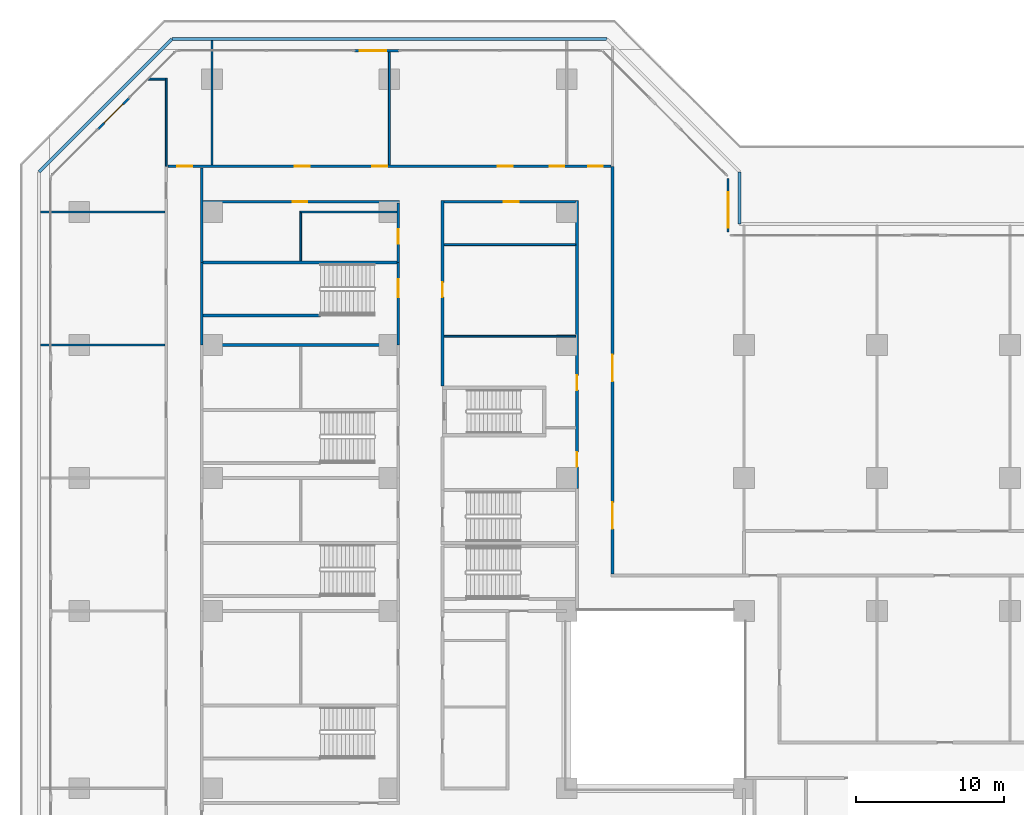
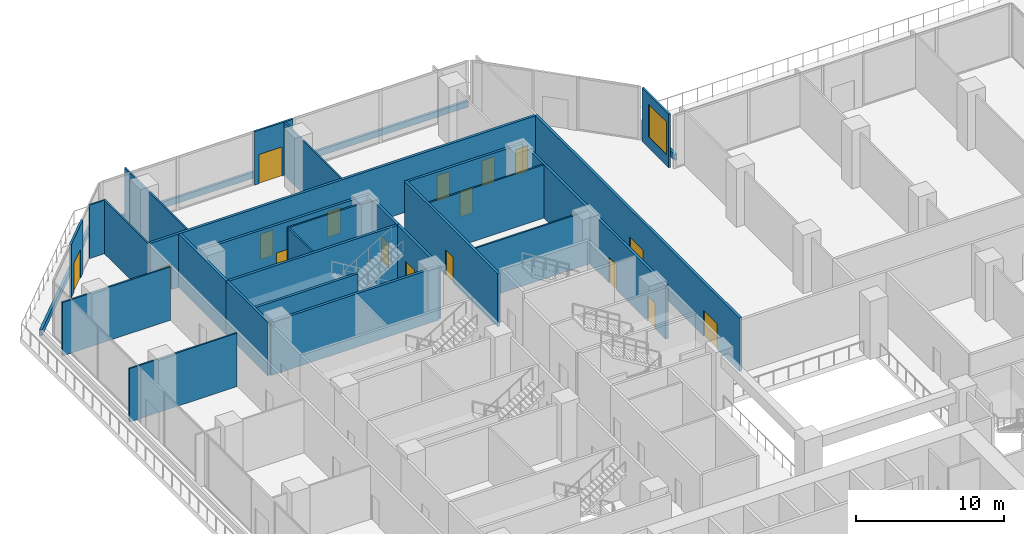
# One storey, part 21 of 31: 29 walls, 17 doors, 1 window, 18 openings.
"""IFC4 building model written with IfcOpenShell, lengths in metres."""

from ifc_helpers import new_model, si_unit, direction, frame, frame_2d, origin, place, context, subcontext, project, spatial, rectangle, extrude, material, layer, layer_set, type_object, element, fill, save


model = new_model("IFC4")

# Units and contexts
model_context = context("Model", 3, precision=1e-05, world=origin(), true_north=direction((0.0, 1.0)))
body_context = subcontext(model_context, "Body", "Model", "MODEL_VIEW")
ifc_project = project(units=[si_unit("LENGTHUNIT", "METRE"), si_unit("AREAUNIT", "SQUARE_METRE"), si_unit("VOLUMEUNIT", "CUBIC_METRE"), si_unit("PLANEANGLEUNIT", "RADIAN"), si_unit("MASSUNIT", "GRAM", prefix="KILO")], contexts=[model_context])

# Site, building, storey
site_placement = place(None, origin())
site = spatial("IfcSite", under=ifc_project, at=site_placement, CompositionType="ELEMENT")
building_placement = place(site_placement, origin())
building = spatial("IfcBuilding", under=site, at=building_placement, Name="Chenar Terraces", CompositionType="ELEMENT")
storey_placement = place(building_placement, frame((0.0, 0.0, 12.0)))
storey = spatial("IfcBuildingStorey", under=building, at=storey_placement, Name="L02", CompositionType="ELEMENT", Elevation=12.0)

# Walls
ifc_material_1 = material(Name="Gypsum board on steel studs with mineral wool", Category="steel")
ifc_layer_1 = layer(ifc_material_1, 0.125)
ifc_layer_set_1 = layer_set([ifc_layer_1], Name="Gypsum board on steel studs with mineral wool")
wall_type_1 = type_object("IfcWallType", Name="Acoustic partition 125", PredefinedType="PARTITIONING", material=ifc_layer_set_1)
for number, where, z_axis, x_axis, name in (
    (1, (-11.60009765625, 54.0, 0.0), (0.0, 0.0, 1.0), (1.0, 0.0, 0.0), "Partition L02-004"),
    (2, (-11.60009765625, 63.0, 0.0), (0.0, 0.0, 1.0), (1.0, 0.0, 0.0), "Partition L02-005"),
):
    element("IfcWall", number, at=place(storey_placement, frame(where, z_axis=z_axis, x_axis=x_axis)), inside=storey, type_object=wall_type_1, Name=name, PredefinedType="PARTITIONING", context=body_context, shape_type="SweptSolid", body=[
        extrude(rectangle(XDim=8.400146484375, YDim=0.125, at=frame_2d((4.2001953125, 0.0))), origin(), (0.0, 0.0, 1.0), 4.39990234375),
    ])
wall_1_placement = place(storey_placement, frame((-4.3291015625, 72.0, 0.0), z_axis=(0.0, 0.0, 1.0), x_axis=(1.0, 0.0, 0.0)))
element("IfcWall", 3, at=wall_1_placement, inside=storey, type_object=wall_type_1, Name="Partition L02-007", PredefinedType="PARTITIONING", context=body_context, shape_type="SweptSolid", body=[
    extrude(rectangle(XDim=1.1669921875, YDim=0.125, at=frame_2d((0.58349609375, 0.0))), origin(), (0.0, 0.0, 1.0), 4.39990234375),
])
wall_2_placement = place(storey_placement, frame((-3.10009765625, 66.10009765625, 0.0), z_axis=(0.0, 0.0, 1.0), x_axis=(0.0, 1.0, 0.0)))
element("IfcWall", 4, at=wall_2_placement, inside=storey, type_object=wall_type_1, Name="Partition L02-009", PredefinedType="PARTITIONING", context=body_context, shape_type="SweptSolid", body=[
    extrude(rectangle(XDim=5.9619140625, YDim=0.125, at=frame_2d((2.98095703125, 0.0))), origin(), (0.0, 0.0, 1.0), 4.39990234375),
])
wall_3_placement = place(storey_placement, frame((0.0, 66.199951171875, 0.0), z_axis=(0.0, 0.0, 1.0), x_axis=(0.0, 1.0, 0.0)))
element("IfcWall", 5, at=wall_3_placement, inside=storey, type_object=wall_type_1, Name="Partition L02-031", PredefinedType="PARTITIONING", context=body_context, shape_type="SweptSolid", body=[
    extrude(rectangle(XDim=8.400146484375, YDim=0.125, at=frame_2d((4.2001953125, 0.0))), origin(), (0.0, 0.0, 1.0), 4.39990234375),
])
wall_4_placement = place(storey_placement, frame((5.93798828125, 63.0, 0.0), z_axis=(0.0, 0.0, 1.0), x_axis=(1.0, 0.0, 0.0)))
element("IfcWall", 6, at=wall_4_placement, inside=storey, type_object=wall_type_1, Name="Partition L02-035", PredefinedType="PARTITIONING", context=body_context, shape_type="SweptSolid", body=[
    extrude(rectangle(XDim=6.56201171875, YDim=0.125, at=frame_2d((3.281005859375, 0.0))), origin(), (0.0, 0.0, 1.0), 4.39990234375),
])
wall_5_placement = place(storey_placement, frame((6.0, 59.699951171875, 0.0), z_axis=(0.0, 0.0, 1.0), x_axis=(0.0, 1.0, 0.0)))
element("IfcWall", 7, at=wall_5_placement, inside=storey, type_object=wall_type_1, Name="Partition L02-039", PredefinedType="PARTITIONING", context=body_context, shape_type="SweptSolid", body=[
    extrude(rectangle(XDim=3.238037109375, YDim=0.125, at=frame_2d((1.619140625, 0.0))), origin(), (0.0, 0.0, 1.0), 4.39990234375),
])
wall_6_placement = place(storey_placement, frame((12.0, 66.199951171875, 0.0), z_axis=(0.0, 0.0, 1.0), x_axis=(0.0, 1.0, 0.0)))
element("IfcWall", 8, at=wall_6_placement, inside=storey, type_object=wall_type_1, Name="Partition L02-042", PredefinedType="PARTITIONING", context=body_context, shape_type="SweptSolid", body=[
    extrude(rectangle(XDim=7.651123046875, YDim=0.125, at=frame_2d((3.82568359375, 0.0))), origin(), (0.0, 0.0, 1.0), 4.39990234375),
])
for number, where, z_axis, x_axis, name in (
    (9, (15.699951171875, 54.60009765625, 0.0), (0.0, 0.0, 1.0), (1.0, 0.0, 0.0), "Partition L02-062"),
    (10, (15.699951171875, 60.800048828125, 0.0), (0.0, 0.0, 1.0), (1.0, 0.0, 0.0), "Partition L02-063"),
):
    element("IfcWall", number, at=place(storey_placement, frame(where, z_axis=z_axis, x_axis=x_axis)), inside=storey, type_object=wall_type_1, Name=name, PredefinedType="PARTITIONING", context=body_context, shape_type="SweptSolid", body=[
        extrude(rectangle(XDim=8.900146484375, YDim=0.125, at=frame_2d((4.4501953125, 0.0))), origin(), (0.0, 0.0, 1.0), 4.39990234375),
    ])

# Wall, openings, doors
ifc_material_2 = material(Name="Gypsum board on steel studs with fire boards", Category="steel")
ifc_layer_2 = layer(ifc_material_2, 0.199951171875)
ifc_layer_set_2 = layer_set([ifc_layer_2], Name="Gypsum board on steel studs with fire boards")
wall_type_2 = type_object("IfcWallType", Name="Corridor wall 200", PredefinedType="PARTITIONING", material=ifc_layer_set_2)
wall_7_placement = place(storey_placement, frame((-3.0, 66.10009765625, 0.0), z_axis=(0.0, 0.0, 1.0), x_axis=(1.0, 0.0, 0.0)))
wall_7 = element("IfcWall", 11, at=wall_7_placement, inside=storey, type_object=wall_type_2, Name="Partition L02-010", PredefinedType="PARTITIONING", context=body_context, shape_type="SweptSolid", body=[
    extrude(rectangle(XDim=30.0, YDim=0.199951171875, at=frame_2d((15.0, 0.0))), origin(), (0.0, 0.0, 1.0), 4.39990234375),
])
opening_1_placement = place(wall_7_placement, frame((0.64990234375, 0.0, 0.0)))
opening_1 = element("IfcOpeningElement", 12, at=opening_1_placement, cuts=wall_7, Name="Opening DL02-54", PredefinedType="OPENING", context=body_context, shape_type="SweptSolid", body=[
    extrude(rectangle(XDim=1.0, YDim=2.10009765625, at=frame_2d((0.5, 1.050048828125))), frame((0.0, 0.10986328125, 0.0), z_axis=(0.0, -1.0, 0.0), x_axis=(1.0, 0.0, 0.0)), (0.0, 0.0, 1.0), 0.219970703125),
])
opening_2_placement = place(wall_7_placement, frame((8.60009765625, 0.0, 0.0)))
opening_2 = element("IfcOpeningElement", 13, at=opening_2_placement, cuts=wall_7, Name="Opening DL02-55", PredefinedType="OPENING", context=body_context, shape_type="SweptSolid", body=[
    extrude(rectangle(XDim=1.0, YDim=2.10009765625, at=frame_2d((0.5, 1.050048828125))), frame((0.0, 0.10986328125, 0.0), z_axis=(0.0, -1.0, 0.0), x_axis=(1.0, 0.0, 0.0)), (0.0, 0.0, 1.0), 0.219970703125),
])
opening_3_placement = place(wall_7_placement, frame((13.85009765625, 0.0, 0.0)))
opening_3 = element("IfcOpeningElement", 14, at=opening_3_placement, cuts=wall_7, Name="Opening DL02-56", PredefinedType="OPENING", context=body_context, shape_type="SweptSolid", body=[
    extrude(rectangle(XDim=1.0, YDim=2.10009765625, at=frame_2d((0.5, 1.050048828125))), frame((0.0, 0.10986328125, 0.0), z_axis=(0.0, -1.0, 0.0), x_axis=(1.0, 0.0, 0.0)), (0.0, 0.0, 1.0), 0.219970703125),
])
opening_4_placement = place(wall_7_placement, frame((22.35009765625, 0.0, 0.0)))
opening_4 = element("IfcOpeningElement", 15, at=opening_4_placement, cuts=wall_7, Name="Opening DL02-57", PredefinedType="OPENING", context=body_context, shape_type="SweptSolid", body=[
    extrude(rectangle(XDim=1.0, YDim=2.10009765625, at=frame_2d((0.5, 1.050048828125))), frame((0.0, 0.10986328125, 0.0), z_axis=(0.0, -1.0, 0.0), x_axis=(1.0, 0.0, 0.0)), (0.0, 0.0, 1.0), 0.219970703125),
])
opening_5_placement = place(wall_7_placement, frame((25.85009765625, 0.0, 0.0)))
opening_5 = element("IfcOpeningElement", 16, at=opening_5_placement, cuts=wall_7, Name="Opening DL02-58", PredefinedType="OPENING", context=body_context, shape_type="SweptSolid", body=[
    extrude(rectangle(XDim=1.0, YDim=2.10009765625, at=frame_2d((0.5, 1.050048828125))), frame((0.0, 0.10986328125, 0.0), z_axis=(0.0, -1.0, 0.0), x_axis=(1.0, 0.0, 0.0)), (0.0, 0.0, 1.0), 0.219970703125),
])
opening_6_placement = place(wall_7_placement, frame((28.449951171875, 0.0, 0.0)))
opening_6 = element("IfcOpeningElement", 17, at=opening_6_placement, cuts=wall_7, Name="Opening DL02-59", PredefinedType="OPENING", context=body_context, shape_type="SweptSolid", body=[
    extrude(rectangle(XDim=1.0, YDim=2.10009765625, at=frame_2d((0.5, 1.050048828125))), frame((0.0, 0.10986328125, 0.0), z_axis=(0.0, -1.0, 0.0), x_axis=(1.0, 0.0, 0.0)), (0.0, 0.0, 1.0), 0.219970703125),
])
ifc_material_3 = material(Name="Steel-framed fire-resisting door leaf", Category="steel")
door_type_1 = type_object("IfcDoorType", Name="Fire door FD60 1000 x 2100", OperationType="SINGLE_SWING_LEFT", PredefinedType="DOOR", material=ifc_material_3)
door_1_placement = place(opening_1_placement, origin())
door_1 = element("IfcDoor", 18, at=door_1_placement, inside=storey, type_object=door_type_1, Name="Door DL02-54", OperationType="SINGLE_SWING_LEFT", OverallHeight=2.10009765625, OverallWidth=1.0, PredefinedType="DOOR", context=body_context, shape_type="SweptSolid", body=[
    extrude(rectangle(XDim=1.0, YDim=2.10009765625, at=frame_2d((0.5, 1.050048828125))), frame((0.0, 0.02490234375, 0.0), z_axis=(0.0, -1.0, 0.0), x_axis=(1.0, 0.0, 0.0)), (0.0, 0.0, 1.0), 0.050048828125),
])
fill(opening_1, door_1)
door_2_placement = place(opening_2_placement, origin())
door_2 = element("IfcDoor", 19, at=door_2_placement, inside=storey, type_object=door_type_1, Name="Door DL02-55", OperationType="SINGLE_SWING_RIGHT", OverallHeight=2.10009765625, OverallWidth=1.0, PredefinedType="DOOR", context=body_context, shape_type="SweptSolid", body=[
    extrude(rectangle(XDim=1.0, YDim=2.10009765625, at=frame_2d((0.5, 1.050048828125))), frame((0.0, 0.02490234375, 0.0), z_axis=(0.0, -1.0, 0.0), x_axis=(1.0, 0.0, 0.0)), (0.0, 0.0, 1.0), 0.050048828125),
])
fill(opening_2, door_2)
door_3_placement = place(opening_3_placement, origin())
door_3 = element("IfcDoor", 20, at=door_3_placement, inside=storey, type_object=door_type_1, Name="Door DL02-56", OperationType="SINGLE_SWING_RIGHT", OverallHeight=2.10009765625, OverallWidth=1.0, PredefinedType="DOOR", context=body_context, shape_type="SweptSolid", body=[
    extrude(rectangle(XDim=1.0, YDim=2.10009765625, at=frame_2d((0.5, 1.050048828125))), frame((0.0, 0.02490234375, 0.0), z_axis=(0.0, -1.0, 0.0), x_axis=(1.0, 0.0, 0.0)), (0.0, 0.0, 1.0), 0.050048828125),
])
fill(opening_3, door_3)
door_4_placement = place(opening_4_placement, origin())
door_4 = element("IfcDoor", 21, at=door_4_placement, inside=storey, type_object=door_type_1, Name="Door DL02-57", OperationType="SINGLE_SWING_RIGHT", OverallHeight=2.10009765625, OverallWidth=1.0, PredefinedType="DOOR", context=body_context, shape_type="SweptSolid", body=[
    extrude(rectangle(XDim=1.0, YDim=2.10009765625, at=frame_2d((0.5, 1.050048828125))), frame((0.0, 0.02490234375, 0.0), z_axis=(0.0, -1.0, 0.0), x_axis=(1.0, 0.0, 0.0)), (0.0, 0.0, 1.0), 0.050048828125),
])
fill(opening_4, door_4)
door_5_placement = place(opening_5_placement, origin())
door_5 = element("IfcDoor", 22, at=door_5_placement, inside=storey, type_object=door_type_1, Name="Door DL02-58", OperationType="SINGLE_SWING_RIGHT", OverallHeight=2.10009765625, OverallWidth=1.0, PredefinedType="DOOR", context=body_context, shape_type="SweptSolid", body=[
    extrude(rectangle(XDim=1.0, YDim=2.10009765625, at=frame_2d((0.5, 1.050048828125))), frame((0.0, 0.02490234375, 0.0), z_axis=(0.0, -1.0, 0.0), x_axis=(1.0, 0.0, 0.0)), (0.0, 0.0, 1.0), 0.050048828125),
])
fill(opening_5, door_5)
door_6_placement = place(opening_6_placement, origin())
door_6 = element("IfcDoor", 23, at=door_6_placement, inside=storey, type_object=door_type_1, Name="Door DL02-59", OperationType="SINGLE_SWING_RIGHT", OverallHeight=2.10009765625, OverallWidth=1.0, PredefinedType="DOOR", context=body_context, shape_type="SweptSolid", body=[
    extrude(rectangle(XDim=1.0, YDim=2.10009765625, at=frame_2d((0.5, 1.050048828125))), frame((0.0, 0.02490234375, 0.0), z_axis=(0.0, -1.0, 0.0), x_axis=(1.0, 0.0, 0.0)), (0.0, 0.0, 1.0), 0.050048828125),
])
fill(opening_6, door_6)

# Wall
wall_8_placement = place(storey_placement, frame((-0.699951171875, 59.60009765625, 0.0), z_axis=(0.0, 0.0, 1.0), x_axis=(0.0, 1.0, 0.0)))
element("IfcWall", 24, at=wall_8_placement, inside=storey, type_object=wall_type_2, Name="Partition L02-019", PredefinedType="PARTITIONING", context=body_context, shape_type="SweptSolid", body=[
    extrude(rectangle(XDim=6.39990234375, YDim=0.199951171875, at=frame_2d((3.199951171875, 0.0))), origin(), (0.0, 0.0, 1.0), 4.39990234375),
])

# Wall, opening, door
wall_9_placement = place(storey_placement, frame((-0.60009765625, 63.699951171875, 0.0), z_axis=(0.0, 0.0, 1.0), x_axis=(1.0, 0.0, 0.0)))
wall_9 = element("IfcWall", 25, at=wall_9_placement, inside=storey, type_object=wall_type_2, Name="Partition L02-030", PredefinedType="PARTITIONING", context=body_context, shape_type="SweptSolid", body=[
    extrude(rectangle(XDim=13.300048828125, YDim=0.199951171875, at=frame_2d((6.64990234375, 0.0))), origin(), (0.0, 0.0, 1.0), 4.39990234375),
])
opening_7_placement = place(wall_9_placement, frame((6.050048828125, 0.0, 0.0)))
opening_7 = element("IfcOpeningElement", 26, at=opening_7_placement, cuts=wall_9, Name="Opening DL02-38", PredefinedType="OPENING", context=body_context, shape_type="SweptSolid", body=[
    extrude(rectangle(XDim=1.0, YDim=2.10009765625, at=frame_2d((0.5, 1.050048828125))), frame((0.0, 0.10986328125, 0.0), z_axis=(0.0, -1.0, 0.0), x_axis=(1.0, 0.0, 0.0)), (0.0, 0.0, 1.0), 0.219970703125),
])
door_7_placement = place(opening_7_placement, origin())
door_7 = element("IfcDoor", 27, at=door_7_placement, inside=storey, type_object=door_type_1, Name="Door DL02-38", OperationType="SINGLE_SWING_RIGHT", OverallHeight=2.10009765625, OverallWidth=1.0, PredefinedType="DOOR", context=body_context, shape_type="SweptSolid", body=[
    extrude(rectangle(XDim=1.0, YDim=2.10009765625, at=frame_2d((0.5, 1.050048828125))), frame((0.0, 0.02490234375, 0.0), z_axis=(0.0, -1.0, 0.0), x_axis=(1.0, 0.0, 0.0)), (0.0, 0.0, 1.0), 0.050048828125),
])
fill(opening_7, door_7)

wall_10_placement = place(storey_placement, frame((12.60009765625, 59.60009765625, 0.0), z_axis=(0.0, 0.0, 1.0), x_axis=(0.0, 1.0, 0.0)))
wall_10 = element("IfcWall", 28, at=wall_10_placement, inside=storey, type_object=wall_type_2, Name="Partition L02-050", PredefinedType="PARTITIONING", context=body_context, shape_type="SweptSolid", body=[
    extrude(rectangle(XDim=4.0, YDim=0.199951171875, at=frame_2d((2.0, 0.0))), origin(), (0.0, 0.0, 1.0), 4.39990234375),
])
opening_8_placement = place(wall_10_placement, frame((1.25, 0.0, 0.0)))
opening_8 = element("IfcOpeningElement", 29, at=opening_8_placement, cuts=wall_10, Name="Opening DL02-15", PredefinedType="OPENING", context=body_context, shape_type="SweptSolid", body=[
    extrude(rectangle(XDim=1.0, YDim=2.10009765625, at=frame_2d((0.5, 1.050048828125))), frame((0.0, 0.10986328125, 0.0), z_axis=(0.0, -1.0, 0.0), x_axis=(1.0, 0.0, 0.0)), (0.0, 0.0, 1.0), 0.219970703125),
])
door_8_placement = place(opening_8_placement, origin())
door_8 = element("IfcDoor", 30, at=door_8_placement, inside=storey, type_object=door_type_1, Name="Door DL02-15", OperationType="SINGLE_SWING_RIGHT", OverallHeight=2.10009765625, OverallWidth=1.0, PredefinedType="DOOR", context=body_context, shape_type="SweptSolid", body=[
    extrude(rectangle(XDim=1.0, YDim=2.10009765625, at=frame_2d((0.5, 1.050048828125))), frame((0.0, 0.02490234375, 0.0), z_axis=(0.0, -1.0, 0.0), x_axis=(1.0, 0.0, 0.0)), (0.0, 0.0, 1.0), 0.050048828125),
])
fill(opening_8, door_8)

wall_11_placement = place(storey_placement, frame((15.60009765625, 51.22509765625, 0.0), z_axis=(0.0, 0.0, 1.0), x_axis=(0.0, 1.0, 0.0)))
wall_11 = element("IfcWall", 31, at=wall_11_placement, inside=storey, type_object=wall_type_2, Name="Partition L02-056", PredefinedType="PARTITIONING", context=body_context, shape_type="SweptSolid", body=[
    extrude(rectangle(XDim=12.574951171875, YDim=0.199951171875, at=frame_2d((6.28759765625, 0.0))), origin(), (0.0, 0.0, 1.0), 4.39990234375),
])
opening_9_placement = place(wall_11_placement, frame((6.02490234375, 0.0, 0.0)))
opening_9 = element("IfcOpeningElement", 32, at=opening_9_placement, cuts=wall_11, Name="Opening DL02-26", PredefinedType="OPENING", context=body_context, shape_type="SweptSolid", body=[
    extrude(rectangle(XDim=1.0, YDim=2.10009765625, at=frame_2d((0.5, 1.050048828125))), frame((0.0, 0.10986328125, 0.0), z_axis=(0.0, -1.0, 0.0), x_axis=(1.0, 0.0, 0.0)), (0.0, 0.0, 1.0), 0.219970703125),
])
door_9_placement = place(opening_9_placement, frame((1.0, 0.0, 0.0), z_axis=(0.0, 0.0, 1.0), x_axis=(-1.0, 0.0, 0.0)))
door_9 = element("IfcDoor", 33, at=door_9_placement, inside=storey, type_object=door_type_1, Name="Door DL02-26", OperationType="SINGLE_SWING_LEFT", OverallHeight=2.10009765625, OverallWidth=1.0, PredefinedType="DOOR", context=body_context, shape_type="SweptSolid", body=[
    extrude(rectangle(XDim=1.0, YDim=2.10009765625, at=frame_2d((0.5, 1.050048828125))), frame((0.0, 0.02490234375, 0.0), z_axis=(0.0, -1.0, 0.0), x_axis=(1.0, 0.0, 0.0)), (0.0, 0.0, 1.0), 0.050048828125),
])
fill(opening_9, door_9)

wall_12_placement = place(storey_placement, frame((15.699951171875, 63.699951171875, 0.0), z_axis=(0.0, 0.0, 1.0), x_axis=(1.0, 0.0, 0.0)))
wall_12 = element("IfcWall", 34, at=wall_12_placement, inside=storey, type_object=wall_type_2, Name="Partition L02-064", PredefinedType="PARTITIONING", context=body_context, shape_type="SweptSolid", body=[
    extrude(rectangle(XDim=8.900146484375, YDim=0.199951171875, at=frame_2d((4.4501953125, 0.0))), origin(), (0.0, 0.0, 1.0), 4.39990234375),
])
opening_10_placement = place(wall_12_placement, frame((4.050048828125, 0.0, 0.0)))
opening_10 = element("IfcOpeningElement", 35, at=opening_10_placement, cuts=wall_12, Name="Opening DL02-27", PredefinedType="OPENING", context=body_context, shape_type="SweptSolid", body=[
    extrude(rectangle(XDim=1.0, YDim=2.10009765625, at=frame_2d((0.5, 1.050048828125))), frame((0.0, 0.10986328125, 0.0), z_axis=(0.0, -1.0, 0.0), x_axis=(1.0, 0.0, 0.0)), (0.0, 0.0, 1.0), 0.219970703125),
])
door_10_placement = place(opening_10_placement, frame((1.0, 0.0, 0.0), z_axis=(0.0, 0.0, 1.0), x_axis=(-1.0, 0.0, 0.0)))
door_10 = element("IfcDoor", 36, at=door_10_placement, inside=storey, type_object=door_type_1, Name="Door DL02-27", OperationType="SINGLE_SWING_LEFT", OverallHeight=2.10009765625, OverallWidth=1.0, PredefinedType="DOOR", context=body_context, shape_type="SweptSolid", body=[
    extrude(rectangle(XDim=1.0, YDim=2.10009765625, at=frame_2d((0.5, 1.050048828125))), frame((0.0, 0.02490234375, 0.0), z_axis=(0.0, -1.0, 0.0), x_axis=(1.0, 0.0, 0.0)), (0.0, 0.0, 1.0), 0.050048828125),
])
fill(opening_10, door_10)

# Wall, openings, doors
wall_13_placement = place(storey_placement, frame((24.699951171875, 44.300048828125, 0.0), z_axis=(0.0, 0.0, 1.0), x_axis=(0.0, 1.0, 0.0)))
wall_13 = element("IfcWall", 37, at=wall_13_placement, inside=storey, type_object=wall_type_2, Name="Partition L02-072", PredefinedType="PARTITIONING", context=body_context, shape_type="SweptSolid", body=[
    extrude(rectangle(XDim=19.5, YDim=0.199951171875, at=frame_2d((9.75, 0.0))), origin(), (0.0, 0.0, 1.0), 4.39990234375),
])
opening_11_placement = place(wall_13_placement, frame((1.449951171875, 0.0, 0.0)))
opening_11 = element("IfcOpeningElement", 38, at=opening_11_placement, cuts=wall_13, Name="Opening DL02-24", PredefinedType="OPENING", context=body_context, shape_type="SweptSolid", body=[
    extrude(rectangle(XDim=1.0, YDim=2.10009765625, at=frame_2d((0.5, 1.050048828125))), frame((0.0, 0.10986328125, 0.0), z_axis=(0.0, -1.0, 0.0), x_axis=(1.0, 0.0, 0.0)), (0.0, 0.0, 1.0), 0.219970703125),
])
opening_12_placement = place(wall_13_placement, frame((6.64990234375, 0.0, 0.0)))
opening_12 = element("IfcOpeningElement", 39, at=opening_12_placement, cuts=wall_13, Name="Opening DL02-25", PredefinedType="OPENING", context=body_context, shape_type="SweptSolid", body=[
    extrude(rectangle(XDim=1.0, YDim=2.10009765625, at=frame_2d((0.5, 1.050048828125))), frame((0.0, 0.10986328125, 0.0), z_axis=(0.0, -1.0, 0.0), x_axis=(1.0, 0.0, 0.0)), (0.0, 0.0, 1.0), 0.219970703125),
])
door_11_placement = place(opening_11_placement, origin())
door_11 = element("IfcDoor", 40, at=door_11_placement, inside=storey, type_object=door_type_1, Name="Door DL02-24", OperationType="SINGLE_SWING_LEFT", OverallHeight=2.10009765625, OverallWidth=1.0, PredefinedType="DOOR", context=body_context, shape_type="SweptSolid", body=[
    extrude(rectangle(XDim=1.0, YDim=2.10009765625, at=frame_2d((0.5, 1.050048828125))), frame((0.0, 0.02490234375, 0.0), z_axis=(0.0, -1.0, 0.0), x_axis=(1.0, 0.0, 0.0)), (0.0, 0.0, 1.0), 0.050048828125),
])
fill(opening_11, door_11)
door_12_placement = place(opening_12_placement, origin())
door_12 = element("IfcDoor", 41, at=door_12_placement, inside=storey, type_object=door_type_1, Name="Door DL02-25", OperationType="SINGLE_SWING_RIGHT", OverallHeight=2.10009765625, OverallWidth=1.0, PredefinedType="DOOR", context=body_context, shape_type="SweptSolid", body=[
    extrude(rectangle(XDim=1.0, YDim=2.10009765625, at=frame_2d((0.5, 1.050048828125))), frame((0.0, 0.02490234375, 0.0), z_axis=(0.0, -1.0, 0.0), x_axis=(1.0, 0.0, 0.0)), (0.0, 0.0, 1.0), 0.050048828125),
])
fill(opening_12, door_12)

wall_14_placement = place(storey_placement, frame((27.10009765625, 38.5, 0.0), z_axis=(0.0, 0.0, 1.0), x_axis=(0.0, 1.0, 0.0)))
wall_14 = element("IfcWall", 42, at=wall_14_placement, inside=storey, type_object=wall_type_2, Name="Partition L02-074", PredefinedType="PARTITIONING", context=body_context, shape_type="SweptSolid", body=[
    extrude(rectangle(XDim=27.60009765625, YDim=0.199951171875, at=frame_2d((13.800048828125, 0.0))), origin(), (0.0, 0.0, 1.0), 4.39990234375),
])
opening_13_placement = place(wall_14_placement, frame((13.050048828125, 0.0, 0.0)))
opening_13 = element("IfcOpeningElement", 43, at=opening_13_placement, cuts=wall_14, Name="Opening DL02-16", PredefinedType="OPENING", context=body_context, shape_type="SweptSolid", body=[
    extrude(rectangle(XDim=1.800048828125, YDim=2.10009765625, at=frame_2d((0.89990234375, 1.050048828125))), frame((0.0, 0.10986328125, 0.0), z_axis=(0.0, -1.0, 0.0), x_axis=(1.0, 0.0, 0.0)), (0.0, 0.0, 1.0), 0.219970703125),
])
opening_14_placement = place(wall_14_placement, frame((3.050048828125, 0.0, 0.0)))
opening_14 = element("IfcOpeningElement", 44, at=opening_14_placement, cuts=wall_14, Name="Opening DL02-17", PredefinedType="OPENING", context=body_context, shape_type="SweptSolid", body=[
    extrude(rectangle(XDim=1.800048828125, YDim=2.10009765625, at=frame_2d((0.89990234375, 1.050048828125))), frame((0.0, 0.10986328125, 0.0), z_axis=(0.0, -1.0, 0.0), x_axis=(1.0, 0.0, 0.0)), (0.0, 0.0, 1.0), 0.219970703125),
])
ifc_material_4 = material(Name="Steel-framed fire-resisting door leaf", Category="steel")
door_type_2 = type_object("IfcDoorType", Name="Fire double door FD60 1800 x 2100", OperationType="DOUBLE_DOOR_SINGLE_SWING", PredefinedType="DOOR", material=ifc_material_4)
door_13_placement = place(opening_13_placement, frame((1.800048828125, 0.0, 0.0), z_axis=(0.0, 0.0, 1.0), x_axis=(-1.0, 0.0, 0.0)))
door_13 = element("IfcDoor", 45, at=door_13_placement, inside=storey, type_object=door_type_2, Name="Door DL02-16", OperationType="DOUBLE_DOOR_SINGLE_SWING", OverallHeight=2.10009765625, OverallWidth=1.800048828125, PredefinedType="DOOR", context=body_context, shape_type="SweptSolid", body=[
    extrude(rectangle(XDim=1.800048828125, YDim=2.10009765625, at=frame_2d((0.89990234375, 1.050048828125))), frame((0.0, 0.02490234375, 0.0), z_axis=(0.0, -1.0, 0.0), x_axis=(1.0, 0.0, 0.0)), (0.0, 0.0, 1.0), 0.050048828125),
])
fill(opening_13, door_13)
door_14_placement = place(opening_14_placement, frame((1.800048828125, 0.0, 0.0), z_axis=(0.0, 0.0, 1.0), x_axis=(-1.0, 0.0, 0.0)))
door_14 = element("IfcDoor", 46, at=door_14_placement, inside=storey, type_object=door_type_2, Name="Door DL02-17", OperationType="DOUBLE_DOOR_SINGLE_SWING", OverallHeight=2.10009765625, OverallWidth=1.800048828125, PredefinedType="DOOR", context=body_context, shape_type="SweptSolid", body=[
    extrude(rectangle(XDim=1.800048828125, YDim=2.10009765625, at=frame_2d((0.89990234375, 1.050048828125))), frame((0.0, 0.02490234375, 0.0), z_axis=(0.0, -1.0, 0.0), x_axis=(1.0, 0.0, 0.0)), (0.0, 0.0, 1.0), 0.050048828125),
])
fill(opening_14, door_14)

# Wall, opening, window
ifc_material_5 = material(Name="Aluminium framed glazing", Category="aluminium")
ifc_layer_3 = layer(ifc_material_5, 0.14990234375)
ifc_layer_set_3 = layer_set([ifc_layer_3], Name="Aluminium framed glazing")
wall_type_3 = type_object("IfcWallType", Name="Podium glazed wall 150", PredefinedType="SOLIDWALL", material=ifc_layer_set_3)
wall_15_placement = place(storey_placement, frame((34.925048828125, 61.64990234375, 0.0), z_axis=(0.0, 0.0, 1.0), x_axis=(0.0, 1.0, 0.0)))
wall_15 = element("IfcWall", 47, at=wall_15_placement, inside=storey, type_object=wall_type_3, Name="Podium glazed wall", PredefinedType="SOLIDWALL", context=body_context, shape_type="SweptSolid", body=[
    extrude(rectangle(XDim=3.635009765625, YDim=0.14990234375, at=frame_2d((1.8173828125, 0.0))), origin(), (0.0, 0.0, 1.0), 4.39990234375),
])
opening_15_placement = place(wall_15_placement, frame((0.300048828125, 0.0, 0.89990234375)))
opening_15 = element("IfcOpeningElement", 48, at=opening_15_placement, cuts=wall_15, Name="Opening W240x270", PredefinedType="OPENING", context=body_context, shape_type="SweptSolid", body=[
    extrude(rectangle(XDim=2.39990234375, YDim=2.699951171875, at=frame_2d((1.199951171875, 1.35009765625))), frame((0.0, 0.0849609375, 0.0), z_axis=(0.0, -1.0, 0.0), x_axis=(1.0, 0.0, 0.0)), (0.0, 0.0, 1.0), 0.169921875),
])
ifc_material_6 = material(Name="Low emissivity double glazing, aluminium frame", Category="aluminium")
window_type = type_object("IfcWindowType", Name="Fixed light 2400 x 2700", PartitioningType="SINGLE_PANEL", PredefinedType="WINDOW", material=ifc_material_6)
window_placement = place(opening_15_placement, origin())
window = element("IfcWindow", 49, at=window_placement, inside=storey, type_object=window_type, Name="Window", OverallHeight=2.699951171875, OverallWidth=2.39990234375, PartitioningType="SINGLE_PANEL", PredefinedType="WINDOW", context=body_context, shape_type="SweptSolid", body=[
    extrude(rectangle(XDim=2.39990234375, YDim=2.699951171875, at=frame_2d((1.199951171875, 1.35009765625))), frame((0.0, 0.030029296875, 0.0), z_axis=(0.0, -1.0, 0.0), x_axis=(1.0, 0.0, 0.0)), (0.0, 0.0, 1.0), 0.06005859375),
])
fill(opening_15, window)

# Wall, opening, door
wall_16_placement = place(storey_placement, frame((12.64990234375, 73.925048828125, 0.0), z_axis=(0.0, 0.0, 1.0), x_axis=(-1.0, 0.0, 0.0)))
wall_16 = element("IfcWall", 50, at=wall_16_placement, inside=storey, type_object=wall_type_3, Name="Podium glazed wall", PredefinedType="SOLIDWALL", context=body_context, shape_type="SweptSolid", body=[
    extrude(rectangle(XDim=3.0, YDim=0.14990234375, at=frame_2d((1.5, 0.0))), origin(), (0.0, 0.0, 1.0), 4.39990234375),
])
opening_16_placement = place(wall_16_placement, frame((0.85009765625, 0.0, 0.0)))
opening_16 = element("IfcOpeningElement", 51, at=opening_16_placement, cuts=wall_16, Name="Opening DL02-T1", PredefinedType="OPENING", context=body_context, shape_type="SweptSolid", body=[
    extrude(rectangle(XDim=1.800048828125, YDim=2.39990234375, at=frame_2d((0.89990234375, 1.199951171875))), frame((0.0, 0.0849609375, 0.0), z_axis=(0.0, -1.0, 0.0), x_axis=(1.0, 0.0, 0.0)), (0.0, 0.0, 1.0), 0.169921875),
])
ifc_material_7 = material(Name="Low emissivity double glazing, aluminium frame", Category="aluminium")
door_type_3 = type_object("IfcDoorType", Name="Terrace glazed double door 1800 x 2400", OperationType="DOUBLE_DOOR_SINGLE_SWING", PredefinedType="DOOR", material=ifc_material_7)
door_15_placement = place(opening_16_placement, frame((1.800048828125, 0.0, 0.0), z_axis=(0.0, 0.0, 1.0), x_axis=(-1.0, 0.0, 0.0)))
door_15 = element("IfcDoor", 52, at=door_15_placement, inside=storey, type_object=door_type_3, Name="Terrace glazed door", OperationType="DOUBLE_DOOR_SINGLE_SWING", OverallHeight=2.39990234375, OverallWidth=1.800048828125, PredefinedType="DOOR", context=body_context, shape_type="SweptSolid", body=[
    extrude(rectangle(XDim=1.800048828125, YDim=2.39990234375, at=frame_2d((0.89990234375, 1.199951171875))), frame((0.0, 0.02490234375, 0.0), z_axis=(0.0, -1.0, 0.0), x_axis=(1.0, 0.0, 0.0)), (0.0, 0.0, 1.0), 0.050048828125),
])
fill(opening_16, door_15)

wall_17_placement = place(storey_placement, frame((-5.603759765625, 70.72509765625, 0.0), z_axis=(0.0, 0.0, 1.0), x_axis=(-0.707106781187, -0.707106781187, 0.0)))
wall_17 = element("IfcWall", 53, at=wall_17_placement, inside=storey, type_object=wall_type_3, Name="Podium glazed wall", PredefinedType="SOLIDWALL", context=body_context, shape_type="SweptSolid", body=[
    extrude(rectangle(XDim=3.0, YDim=0.14990234375, at=frame_2d((1.5, 0.0))), origin(), (0.0, 0.0, 1.0), 4.39990234375),
])
opening_17_placement = place(wall_17_placement, frame((0.60009765625, 0.0, 0.0)))
opening_17 = element("IfcOpeningElement", 54, at=opening_17_placement, cuts=wall_17, Name="Opening DL02-T1", PredefinedType="OPENING", context=body_context, shape_type="SweptSolid", body=[
    extrude(rectangle(XDim=1.800048828125, YDim=2.39990234375, at=frame_2d((0.89990234375, 1.199951171875))), frame((0.0, 0.0849609375, 0.0), z_axis=(0.0, -1.0, 0.0), x_axis=(1.0, 0.0, 0.0)), (0.0, 0.0, 1.0), 0.169921875),
])
door_16_placement = place(opening_17_placement, origin())
door_16 = element("IfcDoor", 55, at=door_16_placement, inside=storey, type_object=door_type_3, Name="Terrace glazed door", OperationType="DOUBLE_DOOR_SINGLE_SWING", OverallHeight=2.39990234375, OverallWidth=1.800048828125, PredefinedType="DOOR", context=body_context, shape_type="SweptSolid", body=[
    extrude(rectangle(XDim=1.800048828125, YDim=2.39990234375, at=frame_2d((0.89990234375, 1.199951171875))), frame((0.0, 0.02490234375, 0.0), z_axis=(0.0, -1.0, 0.0), x_axis=(1.0, 0.0, 0.0)), (0.0, 0.0, 1.0), 0.050048828125),
])
fill(opening_17, door_16)

# Walls
ifc_material_8 = material(Name="Reinforced concrete C40/50", Category="concrete")
ifc_layer_4 = layer(ifc_material_8, 0.199951171875)
ifc_layer_set_4 = layer_set([ifc_layer_4], Name="Reinforced concrete C40/50")
wall_type_4 = type_object("IfcWallType", Name="Stair enclosure wall 200 concrete", PredefinedType="SOLIDWALL", material=ifc_layer_set_4)
wall_18_placement = place(storey_placement, frame((-0.699951171875, 54.0, 0.0), z_axis=(0.0, 0.0, 1.0), x_axis=(0.0, 1.0, 0.0)))
element("IfcWall", 56, at=wall_18_placement, inside=storey, type_object=wall_type_4, Name="Stair enclosure wall L02-018", PredefinedType="SOLIDWALL", context=body_context, shape_type="SweptSolid", body=[
    extrude(rectangle(XDim=5.60009765625, YDim=0.199951171875, at=frame_2d((2.800048828125, 0.0))), origin(), (0.0, 0.0, 1.0), 4.39990234375),
])
for number, where, z_axis, x_axis, name in (
    (57, (-0.60009765625, 54.0, 0.0), (0.0, 0.0, 1.0), (1.0, 0.0, 0.0), "Stair enclosure wall L02-028"),
    (58, (-0.60009765625, 59.60009765625, 0.0), (0.0, 0.0, 1.0), (1.0, 0.0, 0.0), "Stair enclosure wall L02-029"),
):
    element("IfcWall", number, at=place(storey_placement, frame(where, z_axis=z_axis, x_axis=x_axis)), inside=storey, type_object=wall_type_4, Name=name, PredefinedType="SOLIDWALL", context=body_context, shape_type="SweptSolid", body=[
        extrude(rectangle(XDim=13.10009765625, YDim=0.199951171875, at=frame_2d((6.550048828125, 0.0))), origin(), (0.0, 0.0, 1.0), 4.39990234375),
    ])

# Wall, opening, door
wall_19_placement = place(storey_placement, frame((12.60009765625, 54.0, 0.0), z_axis=(0.0, 0.0, 1.0), x_axis=(0.0, 1.0, 0.0)))
wall_19 = element("IfcWall", 59, at=wall_19_placement, inside=storey, type_object=wall_type_4, Name="Stair enclosure wall L02-049", PredefinedType="SOLIDWALL", context=body_context, shape_type="SweptSolid", body=[
    extrude(rectangle(XDim=5.60009765625, YDim=0.199951171875, at=frame_2d((2.800048828125, 0.0))), origin(), (0.0, 0.0, 1.0), 4.39990234375),
])
opening_18_placement = place(wall_19_placement, frame((3.25, 0.0, 0.0)))
opening_18 = element("IfcOpeningElement", 60, at=opening_18_placement, cuts=wall_19, Name="Opening DL02-81", PredefinedType="OPENING", context=body_context, shape_type="SweptSolid", body=[
    extrude(rectangle(XDim=1.199951171875, YDim=2.10009765625, at=frame_2d((0.60009765625, 1.050048828125))), frame((0.0, 0.10986328125, 0.0), z_axis=(0.0, -1.0, 0.0), x_axis=(1.0, 0.0, 0.0)), (0.0, 0.0, 1.0), 0.219970703125),
])
ifc_material_9 = material(Name="Steel-framed fire-resisting door leaf", Category="steel")
door_type_4 = type_object("IfcDoorType", Name="Fire door FD120 1200 x 2100", OperationType="SINGLE_SWING_LEFT", PredefinedType="DOOR", material=ifc_material_9)
door_17_placement = place(opening_18_placement, origin())
door_17 = element("IfcDoor", 61, at=door_17_placement, inside=storey, type_object=door_type_4, Name="Door DL02-81", OperationType="SINGLE_SWING_RIGHT", OverallHeight=2.10009765625, OverallWidth=1.199951171875, PredefinedType="DOOR", context=body_context, shape_type="SweptSolid", body=[
    extrude(rectangle(XDim=1.199951171875, YDim=2.10009765625, at=frame_2d((0.60009765625, 1.050048828125))), frame((0.0, 0.02490234375, 0.0), z_axis=(0.0, -1.0, 0.0), x_axis=(1.0, 0.0, 0.0)), (0.0, 0.0, 1.0), 0.050048828125),
])
fill(opening_18, door_17)

# Walls
wall_20_placement = place(storey_placement, frame((-0.60009765625, 56.0, 0.0), z_axis=(0.0, 0.0, 1.0), x_axis=(1.0, 0.0, 0.0)))
element("IfcWall", 62, at=wall_20_placement, inside=storey, type_object=wall_type_4, Name="Stair enclosure wall L02-PS3-021", PredefinedType="SOLIDWALL", context=body_context, shape_type="SweptSolid", body=[
    extrude(rectangle(XDim=7.945068359375, YDim=0.199951171875, at=frame_2d((3.97265625, 0.0))), origin(), (0.0, 0.0, 1.0), 4.39990234375),
])
ifc_material_10 = material(Name="Terracotta cladding on insulated backing", Category="masonry")
ifc_layer_5 = layer(ifc_material_10, 0.199951171875)
ifc_layer_set_5 = layer_set([ifc_layer_5], Name="Terracotta cladding on insulated backing")
wall_type_5 = type_object("IfcWallType", Name="Terrace parapet upstand 200", PredefinedType="PARAPET", material=ifc_layer_set_5)
wall_21_placement = place(storey_placement, frame((-11.699951171875, 65.72509765625, 0.0), z_axis=(0.0, 0.0, 1.0), x_axis=(0.707106781187, 0.707106781187, 0.0)))
element("IfcWall", 63, at=wall_21_placement, inside=storey, type_object=wall_type_5, Name="Terrace parapet", PredefinedType="PARAPET", context=body_context, shape_type="SweptSolid", body=[
    extrude(rectangle(XDim=12.6923828125, YDim=0.199951171875, at=frame_2d((6.34619140625, 0.0))), origin(), (0.0, 0.0, 1.0), 0.5),
])
wall_22_placement = place(storey_placement, frame((-2.72509765625, 74.699951171875, 0.0), z_axis=(0.0, 0.0, 1.0), x_axis=(1.0, 0.0, 0.0)))
element("IfcWall", 64, at=wall_22_placement, inside=storey, type_object=wall_type_5, Name="Terrace parapet", PredefinedType="PARAPET", context=body_context, shape_type="SweptSolid", body=[
    extrude(rectangle(XDim=29.4501953125, YDim=0.199951171875, at=frame_2d((14.72509765625, 0.0))), origin(), (0.0, 0.0, 1.0), 0.5),
])
wall_23_placement = place(storey_placement, frame((35.699951171875, 65.72509765625, 0.0), z_axis=(0.0, 0.0, 1.0), x_axis=(0.0, -1.0, 0.0)))
element("IfcWall", 65, at=wall_23_placement, inside=storey, type_object=wall_type_5, Name="Terrace parapet", PredefinedType="PARAPET", context=body_context, shape_type="SweptSolid", body=[
    extrude(rectangle(XDim=3.525146484375, YDim=0.199951171875, at=frame_2d((1.7626953125, 0.0))), origin(), (0.0, 0.0, 1.0), 0.5),
])

save(model, "model.ifc")
